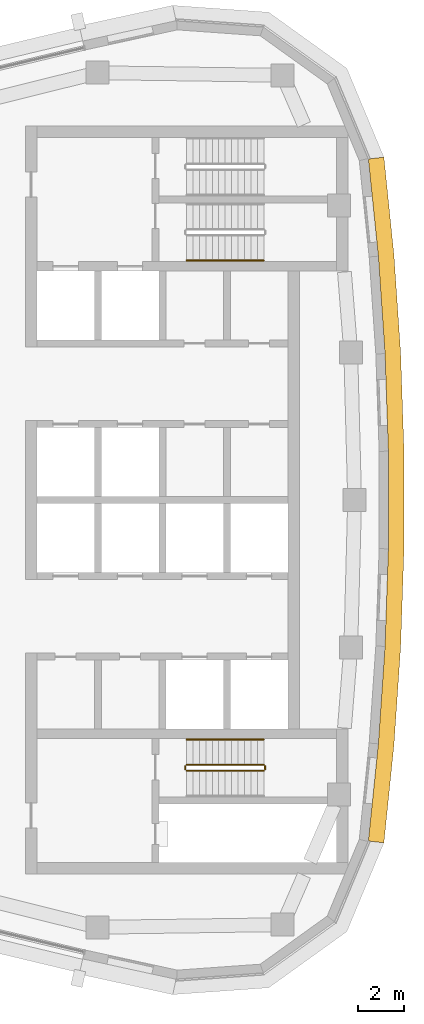
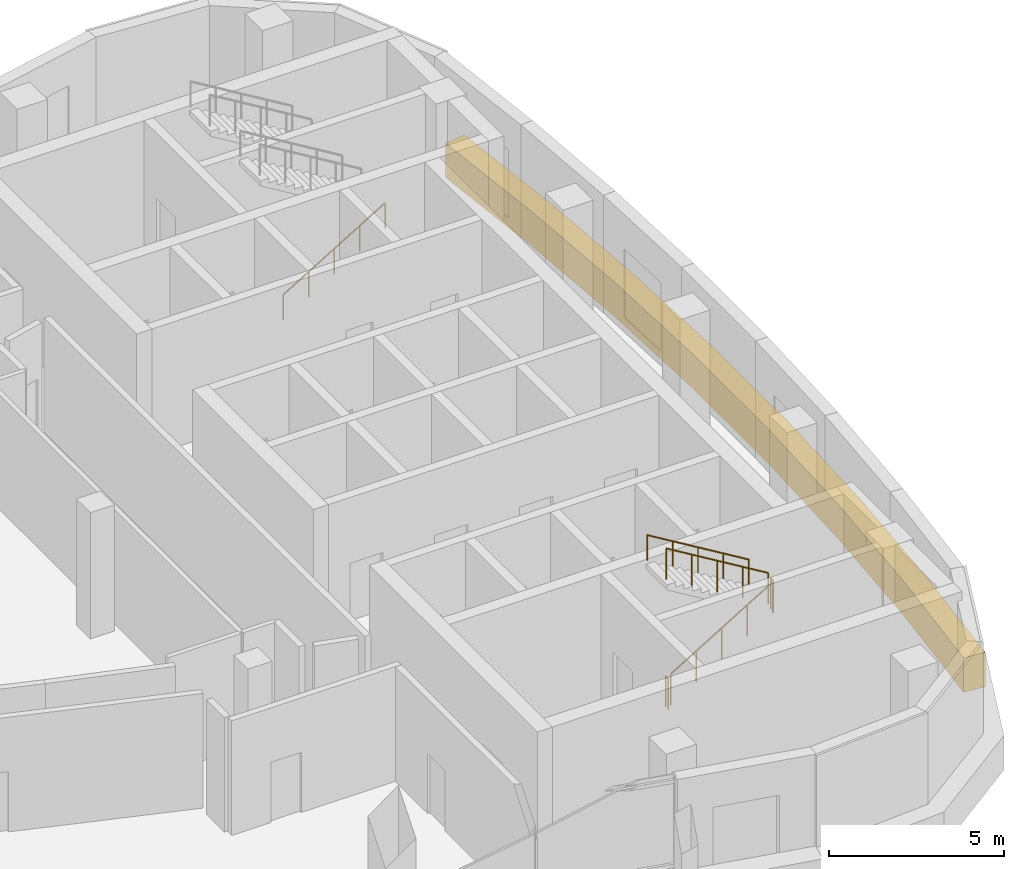
# One storey, part 12 of 15: 6 railings, 1 covering.
"""IFC4 building model written with IfcOpenShell, lengths in metres."""

from ifc_helpers import new_model, si_unit, direction, frame, origin, origin_2d, place, context, subcontext, project, spatial, polyline, circle, outline, extrude, material, layer, layer_set, type_object, element, save


model = new_model("IFC4")

# Units and contexts
model_context = context("Model", 3, precision=1e-05, world=origin(), true_north=direction((0.0, 1.0)))
body_context = subcontext(model_context, "Body", "Model", "MODEL_VIEW")
ifc_project = project(units=[si_unit("LENGTHUNIT", "METRE"), si_unit("AREAUNIT", "SQUARE_METRE"), si_unit("VOLUMEUNIT", "CUBIC_METRE"), si_unit("PLANEANGLEUNIT", "RADIAN"), si_unit("MASSUNIT", "GRAM", prefix="KILO")], contexts=[model_context])

# Site, building, storey
site_placement = place(None, origin())
site = spatial("IfcSite", under=ifc_project, at=site_placement, CompositionType="ELEMENT")
building_placement = place(site_placement, origin())
building = spatial("IfcBuilding", under=site, at=building_placement, Name="Ostrand Prow Hotel Tower", CompositionType="ELEMENT")
storey_placement = place(building_placement, frame((0.0, 0.0, 318.60009765625)))
storey = spatial("IfcBuildingStorey", under=building, at=storey_placement, Name="C3", CompositionType="ELEMENT", Elevation=318.60009765625)

# Covering
ifc_material_1 = material(Name="Bronze anodised aluminium cladding", Category="aluminium")
ifc_layer = layer(ifc_material_1, 0.60009765625)
ifc_layer_set = layer_set([ifc_layer], Name="Bronze anodised aluminium cladding")
covering_type = type_object("IfcCoveringType", Name="Bronze spandrel band 1200x600", PredefinedType="CLADDING", material=ifc_layer_set)
covering_placement = place(storey_placement, frame((0.0, 0.0, -0.300048828125)))
element("IfcCovering", 1, at=covering_placement, inside=storey, type_object=covering_type, Name="Spandrel band back 3", PredefinedType="CLADDING", context=body_context, shape_type="SweptSolid", body=[
    extrude(outline(polyline([(65.77197265625, -14.887451171875), (66.2080078125, -10.646240234375), (66.498779296875, -6.392822265625), (66.644287109375, -2.131591796875), (66.644287109375, 2.131591796875), (66.498779296875, 6.392822265625), (66.2080078125, 10.646240234375), (65.77197265625, 14.887451171875), (65.0966796875, 14.806396484375), (65.530517578125, 10.58837890625), (65.819580078125, 6.35791015625), (65.964599609375, 2.1201171875), (65.964599609375, -2.1201171875), (65.819580078125, -6.35791015625), (65.530517578125, -10.58837890625), (65.0966796875, -14.806396484375), (65.77197265625, -14.887451171875)])), origin(), (0.0, 0.0, 1.0), 1.199951171875),
])

# Railings
ifc_material_2 = material(Name="Painted steel", Category="steel")
railing_type_1 = type_object("IfcRailingType", Name="Stair guard 1100", PredefinedType="GUARDRAIL", material=ifc_material_2)
railing_1_placement = place(storey_placement, frame((57.199951171875, -11.75, 0.169189453125)))
element("IfcRailing", 2, at=railing_1_placement, inside=storey, type_object=railing_type_1, Name="C3 ST2C stair guard 1", PredefinedType="GUARDRAIL", context=body_context, shape_type="SweptSolid", body=[
    extrude(circle(Radius=0.02392578125, at=origin_2d()), frame((0.0, 0.0, 1.076171875), z_axis=(0.855836976705, 0.0, 0.517245656632), x_axis=(0.0, 1.0, 0.0)), (0.0, 0.0, 1.0), 3.926025390625),
    extrude(circle(Radius=0.02099609375, at=origin_2d()), origin(), (0.0, 0.0, 1.0), 1.052001953125),
    extrude(circle(Radius=0.02099609375, at=origin_2d()), frame((0.840087890625, 0.0, 0.5078125)), (0.0, 0.0, 1.0), 1.052001953125),
    extrude(circle(Radius=0.02099609375, at=origin_2d()), frame((1.68017578125, 0.0, 1.015380859375)), (0.0, 0.0, 1.0), 1.052001953125),
    extrude(circle(Radius=0.02099609375, at=origin_2d()), frame((2.52001953125, 0.0, 1.52294921875)), (0.0, 0.0, 1.0), 1.052001953125),
    extrude(circle(Radius=0.02099609375, at=origin_2d()), frame((3.360107421875, 0.0, 2.03076171875)), (0.0, 0.0, 1.0), 1.052001953125),
])
railing_2_placement = place(storey_placement, frame((60.610107421875, -11.699951171875, 2.199951171875)))
element("IfcRailing", 3, at=railing_2_placement, inside=storey, type_object=railing_type_1, Name="C3 ST2C stair guard 2", PredefinedType="GUARDRAIL", context=body_context, shape_type="SweptSolid", body=[
    extrude(circle(Radius=0.02392578125, at=origin_2d()), frame((0.0, 0.0, 1.076171875), z_axis=(0.0, 1.0, 0.0), x_axis=(-1.0, 0.0, 0.0)), (0.0, 0.0, 1.0), 0.14990234375),
    extrude(circle(Radius=0.02099609375, at=origin_2d()), origin(), (0.0, 0.0, 1.0), 1.052001953125),
    extrude(circle(Radius=0.02099609375, at=origin_2d()), frame((0.0, 0.14990234375, 0.0)), (0.0, 0.0, 1.0), 1.052001953125),
])
railing_3_placement = place(storey_placement, frame((60.56005859375, -11.5, 2.369140625)))
element("IfcRailing", 4, at=railing_3_placement, inside=storey, type_object=railing_type_1, Name="C3 ST2C stair guard 3", PredefinedType="GUARDRAIL", context=body_context, shape_type="SweptSolid", body=[
    extrude(circle(Radius=0.02392578125, at=origin_2d()), frame((0.0, 0.0, 1.076171875), z_axis=(-0.855836976705, 0.0, 0.517245656632), x_axis=(0.0, -1.0, 0.0)), (0.0, 0.0, 1.0), 3.926025390625),
    extrude(circle(Radius=0.02099609375, at=origin_2d()), origin(), (0.0, 0.0, 1.0), 1.052001953125),
    extrude(circle(Radius=0.02099609375, at=origin_2d()), frame((-0.840087890625, 0.0, 0.5078125)), (0.0, 0.0, 1.0), 1.052001953125),
    extrude(circle(Radius=0.02099609375, at=origin_2d()), frame((-1.68017578125, 0.0, 1.015380859375)), (0.0, 0.0, 1.0), 1.052001953125),
    extrude(circle(Radius=0.02099609375, at=origin_2d()), frame((-2.52001953125, 0.0, 1.52294921875)), (0.0, 0.0, 1.0), 1.052001953125),
    extrude(circle(Radius=0.02099609375, at=origin_2d()), frame((-3.360107421875, 0.0, 2.03076171875)), (0.0, 0.0, 1.0), 1.052001953125),
])
railing_4_placement = place(storey_placement, frame((57.14990234375, -11.699951171875, 0.0)))
element("IfcRailing", 5, at=railing_4_placement, inside=storey, type_object=railing_type_1, Name="C3 ST2C stair guard 4", PredefinedType="GUARDRAIL", context=body_context, shape_type="SweptSolid", body=[
    extrude(circle(Radius=0.02392578125, at=origin_2d()), frame((0.0, 0.0, 1.076171875), z_axis=(0.0, 1.0, 0.0), x_axis=(-1.0, 0.0, 0.0)), (0.0, 0.0, 1.0), 0.14990234375),
    extrude(circle(Radius=0.02099609375, at=origin_2d()), origin(), (0.0, 0.0, 1.0), 1.052001953125),
    extrude(circle(Radius=0.02099609375, at=origin_2d()), frame((0.0, 0.14990234375, 0.0)), (0.0, 0.0, 1.0), 1.052001953125),
])
ifc_material_3 = material(Name="Stainless steel", Category="steel")
railing_type_2 = type_object("IfcRailingType", Name="Stair handrail 900", PredefinedType="HANDRAIL", material=ifc_material_3)
railing_5_placement = place(storey_placement, frame((57.199951171875, 10.39990234375, 0.169189453125)))
element("IfcRailing", 6, at=railing_5_placement, inside=storey, type_object=railing_type_2, Name="C3 ST1C stair handrail 1", PredefinedType="HANDRAIL", context=body_context, shape_type="SweptSolid", body=[
    extrude(circle(Radius=0.02392578125, at=origin_2d()), frame((0.0, 0.0, 0.8759765625), z_axis=(0.855836976705, 0.0, 0.517245656632), x_axis=(0.0, 1.0, 0.0)), (0.0, 0.0, 1.0), 3.926025390625),
    extrude(circle(Radius=0.02099609375, at=origin_2d()), origin(), (0.0, 0.0, 1.0), 0.851806640625),
    extrude(circle(Radius=0.02099609375, at=origin_2d()), frame((0.840087890625, 0.0, 0.5078125)), (0.0, 0.0, 1.0), 0.851806640625),
    extrude(circle(Radius=0.02099609375, at=origin_2d()), frame((1.68017578125, 0.0, 1.015380859375)), (0.0, 0.0, 1.0), 0.851806640625),
    extrude(circle(Radius=0.02099609375, at=origin_2d()), frame((2.52001953125, 0.0, 1.52294921875)), (0.0, 0.0, 1.0), 0.851806640625),
    extrude(circle(Radius=0.02099609375, at=origin_2d()), frame((3.360107421875, 0.0, 2.03076171875)), (0.0, 0.0, 1.0), 0.851806640625),
])
railing_6_placement = place(storey_placement, frame((60.56005859375, -10.39990234375, 2.369140625)))
element("IfcRailing", 7, at=railing_6_placement, inside=storey, type_object=railing_type_2, Name="C3 ST2C stair handrail 2", PredefinedType="HANDRAIL", context=body_context, shape_type="SweptSolid", body=[
    extrude(circle(Radius=0.02392578125, at=origin_2d()), frame((0.0, 0.0, 0.8759765625), z_axis=(-0.855836976705, 0.0, 0.517245656632), x_axis=(0.0, -1.0, 0.0)), (0.0, 0.0, 1.0), 3.926025390625),
    extrude(circle(Radius=0.02099609375, at=origin_2d()), origin(), (0.0, 0.0, 1.0), 0.851806640625),
    extrude(circle(Radius=0.02099609375, at=origin_2d()), frame((-0.840087890625, 0.0, 0.5078125)), (0.0, 0.0, 1.0), 0.851806640625),
    extrude(circle(Radius=0.02099609375, at=origin_2d()), frame((-1.68017578125, 0.0, 1.015380859375)), (0.0, 0.0, 1.0), 0.851806640625),
    extrude(circle(Radius=0.02099609375, at=origin_2d()), frame((-2.52001953125, 0.0, 1.52294921875)), (0.0, 0.0, 1.0), 0.851806640625),
    extrude(circle(Radius=0.02099609375, at=origin_2d()), frame((-3.360107421875, 0.0, 2.03076171875)), (0.0, 0.0, 1.0), 0.851806640625),
])

save(model, "model.ifc")
